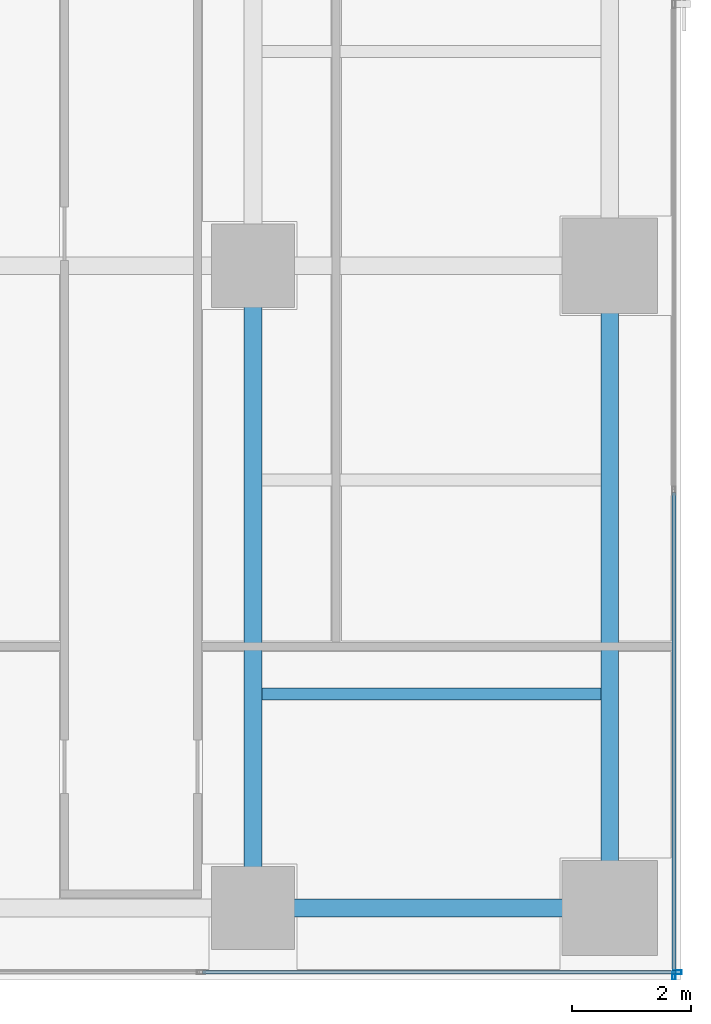
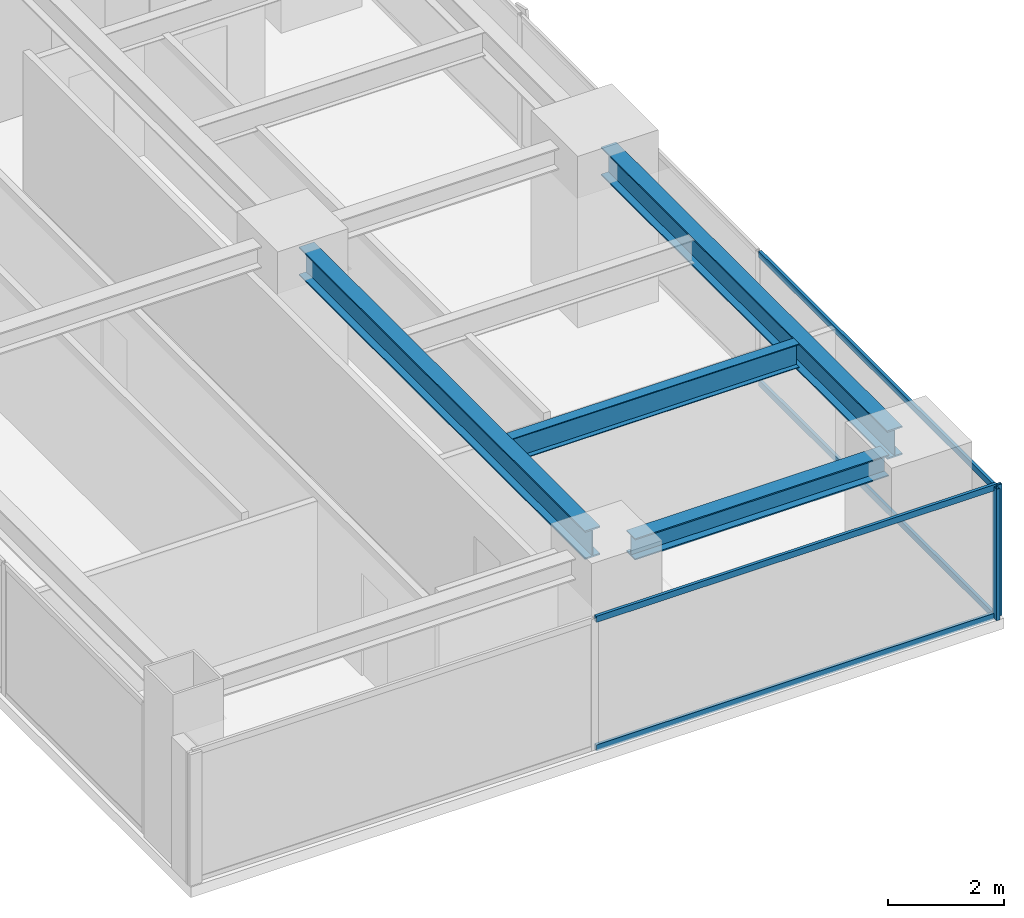
# One storey, part 13 of 29: 6 members, 4 beams, 2 elements without a shape of their own.
"""IFC4 building model written with IfcOpenShell, lengths in metres."""

from ifc_helpers import new_model, si_unit, direction, frame, origin, origin_2d, place, context, subcontext, project, spatial, hollow_rectangle, i_section, extrude, source, transform, mapped, material, layer, layer_set, material_profile, profile_set, type_object, element, aggregate, save


model = new_model("IFC4")

# Units and contexts
model_context = context("Model", 3, precision=1e-05, world=origin(), true_north=direction((0.0, 1.0)))
body_context = subcontext(model_context, "Body", "Model", "MODEL_VIEW")
ifc_project = project(units=[si_unit("LENGTHUNIT", "METRE"), si_unit("AREAUNIT", "SQUARE_METRE"), si_unit("VOLUMEUNIT", "CUBIC_METRE"), si_unit("PLANEANGLEUNIT", "RADIAN"), si_unit("MASSUNIT", "GRAM", prefix="KILO")], contexts=[model_context])

# Site, building, storey
site_placement = place(None, origin())
site = spatial("IfcSite", under=ifc_project, at=site_placement, CompositionType="ELEMENT")
building_placement = place(site_placement, origin())
building = spatial("IfcBuilding", under=site, at=building_placement, Name="Sumidabori Civic Tower", CompositionType="ELEMENT")
storey_placement = place(building_placement, frame((0.0, 0.0, 203.60009765625)))
storey = spatial("IfcBuildingStorey", under=building, at=storey_placement, Name="L52", CompositionType="ELEMENT", Elevation=203.60009765625)

# Beams
ifc_material_1 = material(Name="Steel SN490", Category="steel")
ifc_material_profile_1 = material_profile(ifc_material_1, i_section(OverallWidth=0.300048828125, OverallDepth=0.60009765625, WebThickness=0.015380859375, FlangeThickness=0.030029296875, at=origin_2d()), Name="HE 600 B")
ifc_profile_set_1 = profile_set([ifc_material_profile_1], Name="Steel SN490")
beam_type_1 = type_object("IfcBeamType", Name="BM-GIRD-600", PredefinedType="BEAM", material=ifc_profile_set_1)
shared_shape_1 = source(origin(), body_context, "Body", "SweptSolid", [
    extrude(i_section(OverallWidth=0.300048828125, OverallDepth=0.60009765625, WebThickness=0.015380859375, FlangeThickness=0.030029296875, at=origin_2d()), origin(), (0.0, 0.0, 1.0), 9.840087890625),
])
for number, where, z_axis, x_axis, name in (
    (1, (16.800048828125, -10.320068359375, 3.079833984375), (0.0, 1.0, 0.0), (-1.0, 0.0, 0.0), "Primary Girder L52 GY-19"),
    (2, (22.800048828125, -10.320068359375, 3.079833984375), (0.0, 1.0, 0.0), (-1.0, 0.0, 0.0), "Primary Girder L52 GY-22"),
):
    element("IfcBeam", number, at=place(storey_placement, frame(where, z_axis=z_axis, x_axis=x_axis)), inside=storey, type_object=beam_type_1, Name=name, PredefinedType="BEAM", context=body_context, shape_type="MappedRepresentation", body=[
        mapped(shared_shape_1, transform((0.0, 0.0, 0.0), x_axis=(1.0, 0.0, 0.0), y_axis=(0.0, 1.0, 0.0), z_axis=(0.0, 0.0, 1.0), scale=1.0)),
    ])
ifc_material_profile_2 = material_profile(ifc_material_1, i_section(OverallWidth=0.199951171875, OverallDepth=0.5, WebThickness=0.01025390625, FlangeThickness=0.01611328125, at=origin_2d()), Name="IPE 500")
ifc_profile_set_2 = profile_set([ifc_material_profile_2], Name="Steel SN490")
beam_type_2 = type_object("IfcBeamType", Name="BM-JST-500", PredefinedType="JOIST", material=ifc_profile_set_2)
shared_shape_2 = source(origin(), body_context, "Body", "SweptSolid", [
    extrude(i_section(OverallWidth=0.199951171875, OverallDepth=0.5, WebThickness=0.01025390625, FlangeThickness=0.01611328125, at=origin_2d()), origin(), (0.0, 0.0, 1.0), 5.699951171875),
])
beam_1_placement = place(storey_placement, frame((16.949951171875, -7.199951171875, 3.1298828125), z_axis=(1.0, 0.0, 0.0), x_axis=(0.0, 1.0, 0.0)))
element("IfcBeam", 3, at=beam_1_placement, inside=storey, type_object=beam_type_2, Name="Outer Bay Floor Joist L52 JSTO-26", PredefinedType="JOIST", context=body_context, shape_type="MappedRepresentation", body=[
    mapped(shared_shape_2, transform((0.0, 0.0, 0.0), x_axis=(1.0, 0.0, 0.0), y_axis=(0.0, 1.0, 0.0), z_axis=(0.0, 0.0, 1.0), scale=1.0)),
])
ifc_material_profile_3 = material_profile(ifc_material_1, i_section(OverallWidth=0.300048828125, OverallDepth=0.449951171875, WebThickness=0.013916015625, FlangeThickness=0.02587890625, at=origin_2d()), Name="HE 450 B")
ifc_profile_set_3 = profile_set([ifc_material_profile_3], Name="Steel SN490")
beam_type_3 = type_object("IfcBeamType", Name="BM-GIRD-450", PredefinedType="BEAM", material=ifc_profile_set_3)
shared_shape_3 = source(origin(), body_context, "Body", "SweptSolid", [
    extrude(i_section(OverallWidth=0.300048828125, OverallDepth=0.449951171875, WebThickness=0.013916015625, FlangeThickness=0.02587890625, at=origin_2d()), origin(), (0.0, 0.0, 1.0), 5.0400390625),
])
beam_2_placement = place(storey_placement, frame((17.280029296875, -10.800048828125, 3.15478515625), z_axis=(1.0, 0.0, 0.0), x_axis=(0.0, 1.0, 0.0)))
element("IfcBeam", 4, at=beam_2_placement, inside=storey, type_object=beam_type_3, Name="Primary Girder L52 GX-04", PredefinedType="BEAM", context=body_context, shape_type="MappedRepresentation", body=[
    mapped(shared_shape_3, transform((0.0, 0.0, 0.0), x_axis=(1.0, 0.0, 0.0), y_axis=(0.0, 1.0, 0.0), z_axis=(0.0, 0.0, 1.0), scale=1.0)),
])

# Curtain wall, member
ifc_material_2 = material(Name="Anodised Bronze Aluminium AW-6063-T6", Category="aluminium")
ifc_layer = layer(ifc_material_2, 0.179931640625, Name="Anodised Bronze Aluminium AW-6063-T6")
ifc_layer_set = layer_set([ifc_layer], Name="Anodised Bronze Aluminium AW-6063-T6")
curtain_wall_type = type_object("IfcCurtainWallType", Name="CW-SYS-5", PredefinedType="NOTDEFINED", material=ifc_layer_set)
curtain_wall_1_placement = place(storey_placement, origin())
curtain_wall_1 = element("IfcCurtainWall", 5, at=curtain_wall_1_placement, inside=storey, type_object=curtain_wall_type, Name="Curtain Wall CW:L52:R09", PredefinedType="NOTDEFINED")
ifc_material_profile_4 = material_profile(ifc_material_2, hollow_rectangle(XDim=0.06005859375, YDim=0.139892578125, WallThickness=0.0048828125, at=origin_2d()), Name="ALU MULLION 140x60")
ifc_profile_set_4 = profile_set([ifc_material_profile_4], Name="Anodised Bronze Aluminium AW-6063-T6")
member_type_1 = type_object("IfcMemberType", Name="CW-MUL-140", PredefinedType="MULLION", material=ifc_profile_set_4)
shared_shape_4 = source(origin(), body_context, "Body", "SweptSolid", [
    extrude(hollow_rectangle(XDim=0.06005859375, YDim=0.139892578125, WallThickness=0.0048828125, at=origin_2d()), origin(), (0.0, 0.0, 1.0), 2.760009765625),
])
member_1_placement = place(storey_placement, frame((23.93994140625, -11.8798828125, 0.0), z_axis=(0.0, 0.0, 1.0), x_axis=(0.0, 1.0, 0.0)))
member_1 = element("IfcMember", 6, at=member_1_placement, type_object=member_type_1, Name="CW-5 mullion 3", PredefinedType="MULLION", context=body_context, shape_type="MappedRepresentation", body=[
    mapped(shared_shape_4, transform((0.0, 0.0, 0.0), x_axis=(1.0, 0.0, 0.0), y_axis=(0.0, 1.0, 0.0), z_axis=(0.0, 0.0, 1.0), scale=1.0)),
])

curtain_wall_2_placement = place(storey_placement, origin())
curtain_wall_2 = element("IfcCurtainWall", 7, at=curtain_wall_2_placement, inside=storey, type_object=curtain_wall_type, Name="Curtain Wall CW:L52:R10", PredefinedType="NOTDEFINED")
member_2_placement = place(storey_placement, frame((23.8798828125, -11.93994140625, 0.0), z_axis=(0.0, 0.0, 1.0), x_axis=(-1.0, 0.0, 0.0)))
member_2 = element("IfcMember", 8, at=member_2_placement, type_object=member_type_1, Name="CW-5 mullion 1", PredefinedType="MULLION", context=body_context, shape_type="MappedRepresentation", body=[
    mapped(shared_shape_4, transform((0.0, 0.0, 0.0), x_axis=(1.0, 0.0, 0.0), y_axis=(0.0, 1.0, 0.0), z_axis=(0.0, 0.0, 1.0), scale=1.0)),
])

# Member
ifc_material_profile_5 = material_profile(ifc_material_2, hollow_rectangle(XDim=0.06005859375, YDim=0.1298828125, WallThickness=0.0048828125, at=origin_2d()), Name="ALU TRANSOM 130x60")
ifc_profile_set_5 = profile_set([ifc_material_profile_5], Name="Anodised Bronze Aluminium AW-6063-T6")
member_type_2 = type_object("IfcMemberType", Name="CW-TRN-130", PredefinedType="USERDEFINED", material=ifc_profile_set_5)
shared_shape_5 = source(origin(), body_context, "Body", "SweptSolid", [
    extrude(hollow_rectangle(XDim=0.06005859375, YDim=0.1298828125, WallThickness=0.0048828125, at=origin_2d()), origin(), (0.0, 0.0, 1.0), 7.954833984375),
])
member_3_placement = place(storey_placement, frame((15.955078125, -11.8798828125, 0.02978515625), z_axis=(1.0, 0.0, 0.0), x_axis=(0.0, 1.0, 0.0)))
member_3 = element("IfcMember", 9, at=member_3_placement, type_object=member_type_2, Name="CW-5 transom 2.1", ObjectType="TRANSOM", PredefinedType="USERDEFINED", context=body_context, shape_type="MappedRepresentation", body=[
    mapped(shared_shape_5, transform((0.0, 0.0, 0.0), x_axis=(1.0, 0.0, 0.0), y_axis=(0.0, 1.0, 0.0), z_axis=(0.0, 0.0, 1.0), scale=1.0)),
])

member_4_placement = place(storey_placement, frame((15.955078125, -11.8798828125, 2.72998046875), z_axis=(1.0, 0.0, 0.0), x_axis=(0.0, 1.0, 0.0)))
member_4 = element("IfcMember", 10, at=member_4_placement, type_object=member_type_2, Name="CW-5 transom 2.2", ObjectType="TRANSOM", PredefinedType="USERDEFINED", context=body_context, shape_type="MappedRepresentation", body=[
    mapped(shared_shape_5, transform((0.0, 0.0, 0.0), x_axis=(1.0, 0.0, 0.0), y_axis=(0.0, 1.0, 0.0), z_axis=(0.0, 0.0, 1.0), scale=1.0)),
])

aggregate(curtain_wall_1, [member_1, member_3, member_4])

shared_shape_6 = source(origin(), body_context, "Body", "SweptSolid", [
    extrude(hollow_rectangle(XDim=0.06005859375, YDim=0.1298828125, WallThickness=0.0048828125, at=origin_2d()), origin(), (0.0, 0.0, 1.0), 8.094970703125),
])
member_5_placement = place(storey_placement, frame((23.8798828125, -11.909912109375, 0.02978515625), z_axis=(0.0, 1.0, 0.0), x_axis=(-1.0, 0.0, 0.0)))
member_5 = element("IfcMember", 11, at=member_5_placement, type_object=member_type_2, Name="CW-5 transom 1.1", ObjectType="TRANSOM", PredefinedType="USERDEFINED", context=body_context, shape_type="MappedRepresentation", body=[
    mapped(shared_shape_6, transform((0.0, 0.0, 0.0), x_axis=(1.0, 0.0, 0.0), y_axis=(0.0, 1.0, 0.0), z_axis=(0.0, 0.0, 1.0), scale=1.0)),
])

member_6_placement = place(storey_placement, frame((23.8798828125, -11.909912109375, 2.72998046875), z_axis=(0.0, 1.0, 0.0), x_axis=(-1.0, 0.0, 0.0)))
member_6 = element("IfcMember", 12, at=member_6_placement, type_object=member_type_2, Name="CW-5 transom 1.2", ObjectType="TRANSOM", PredefinedType="USERDEFINED", context=body_context, shape_type="MappedRepresentation", body=[
    mapped(shared_shape_6, transform((0.0, 0.0, 0.0), x_axis=(1.0, 0.0, 0.0), y_axis=(0.0, 1.0, 0.0), z_axis=(0.0, 0.0, 1.0), scale=1.0)),
])

aggregate(curtain_wall_2, [member_2, member_5, member_6])

save(model, "model.ifc")
